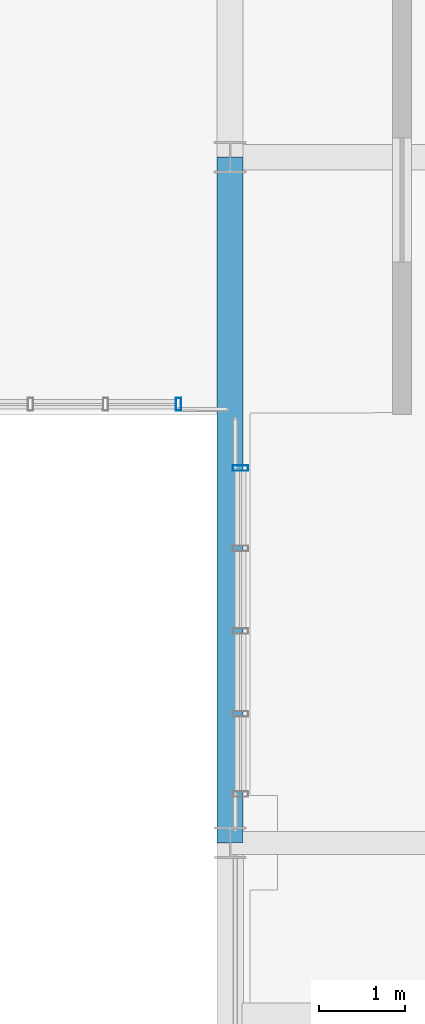
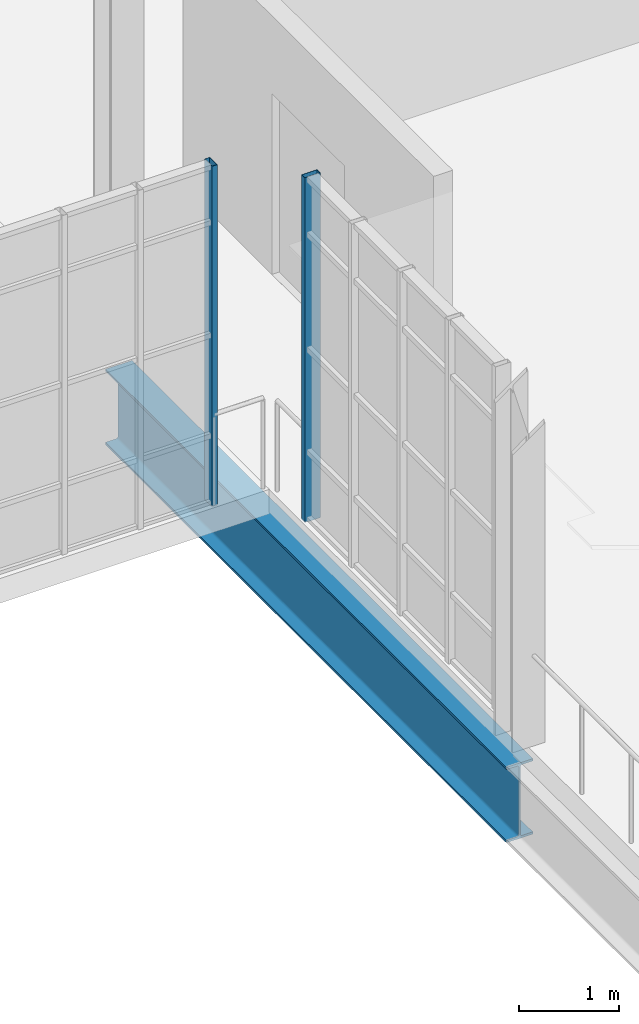
# One storey, part 33 of 142: 2 members, 1 beam, 2 elements without a shape of their own.
"""IFC4 building model written with IfcOpenShell, lengths in metres."""

from ifc_helpers import new_model, si_unit, direction, frame, origin, origin_2d, place, context, subcontext, project, spatial, hollow_rectangle, i_section, extrude, material, layer, layer_set, material_profile, profile_set, type_object, element, aggregate, save


model = new_model("IFC4")

# Units and contexts
model_context = context("Model", 3, precision=1e-05, world=origin(), true_north=direction((0.0, 1.0)))
body_context = subcontext(model_context, "Body", "Model", "MODEL_VIEW")
ifc_project = project(units=[si_unit("LENGTHUNIT", "METRE"), si_unit("AREAUNIT", "SQUARE_METRE"), si_unit("VOLUMEUNIT", "CUBIC_METRE"), si_unit("PLANEANGLEUNIT", "RADIAN"), si_unit("MASSUNIT", "GRAM", prefix="KILO"), si_unit("THERMODYNAMICTEMPERATUREUNIT", "KELVIN"), si_unit("POWERUNIT", "WATT")], contexts=[model_context])

# Site, building, storey
site_placement = place(None, origin())
site = spatial("IfcSite", under=ifc_project, at=site_placement, CompositionType="ELEMENT")
building_placement = place(site_placement, origin())
building = spatial("IfcBuilding", under=site, at=building_placement, Name="Zelmaris Science Centre", CompositionType="ELEMENT")
storey_placement = place(building_placement, frame((0.0, 0.0, 5.39990234375)))
storey = spatial("IfcBuildingStorey", under=building, at=storey_placement, Name="L01", CompositionType="ELEMENT", Elevation=5.39990234375)

# Curtain wall, member
ifc_material_1 = material(Name="Anodised architectural aluminium 6063-T6", Category="aluminium")
ifc_layer_1 = layer(ifc_material_1, 0.219970703125, Name="Anodised architectural aluminium 6063-T6")
ifc_layer_set_1 = layer_set([ifc_layer_1], Name="Anodised architectural aluminium 6063-T6")
curtain_wall_type_1 = type_object("IfcCurtainWallType", Name="Curtain Wall CW-04", PredefinedType="USERDEFINED", material=ifc_layer_set_1)
curtain_wall_1_placement = place(storey_placement, origin())
curtain_wall_1 = element("IfcCurtainWall", 1, at=curtain_wall_1_placement, inside=storey, type_object=curtain_wall_type_1, Name="L01 Unitised curtain wall 172", ObjectType="GLAZED CURTAIN WALL", PredefinedType="USERDEFINED")
ifc_material_profile_1 = material_profile(ifc_material_1, hollow_rectangle(XDim=0.06005859375, YDim=0.14990234375, WallThickness=0.00341796875, at=origin_2d()), Name="ALU-MUL-60X150")
ifc_profile_set_1 = profile_set([ifc_material_profile_1], Name="Anodised architectural aluminium 6063-T6")
member_type_1 = type_object("IfcMemberType", Name="ALU-MUL-60X150", PredefinedType="MULLION", material=ifc_profile_set_1)
member_1_placement = place(storey_placement, frame((107.39697265625, 21.11572265625, -0.014892578125), z_axis=(0.0, 0.0, 1.0), x_axis=(-0.999999948434, 0.000321140577, 0.0)))
member_1 = element("IfcMember", 2, at=member_1_placement, type_object=member_type_1, Name="CW-04 mullion 1", PredefinedType="MULLION", context=body_context, shape_type="SweptSolid", body=[
    extrude(hollow_rectangle(XDim=0.06005859375, YDim=0.14990234375, WallThickness=0.00341796875, at=origin_2d()), origin(), (0.0, 0.0, 1.0), 4.14794921875),
])
aggregate(curtain_wall_1, [member_1])

ifc_layer_2 = layer(ifc_material_1, 0.2099609375, Name="Anodised architectural aluminium 6063-T6")
ifc_layer_set_2 = layer_set([ifc_layer_2], Name="Anodised architectural aluminium 6063-T6")
curtain_wall_type_2 = type_object("IfcCurtainWallType", Name="Curtain Wall CW-03", PredefinedType="USERDEFINED", material=ifc_layer_set_2)
curtain_wall_2_placement = place(storey_placement, origin())
curtain_wall_2 = element("IfcCurtainWall", 3, at=curtain_wall_2_placement, inside=storey, type_object=curtain_wall_type_2, Name="L01 Unitised curtain wall 171", ObjectType="GLAZED CURTAIN WALL", PredefinedType="USERDEFINED")
ifc_material_profile_2 = material_profile(ifc_material_1, hollow_rectangle(XDim=0.06494140625, YDim=0.179931640625, WallThickness=0.00390625, at=origin_2d()), Name="ALU-MUL-65X180")
ifc_profile_set_2 = profile_set([ifc_material_profile_2], Name="Anodised architectural aluminium 6063-T6")
member_type_2 = type_object("IfcMemberType", Name="ALU-MUL-65X180", PredefinedType="MULLION", material=ifc_profile_set_2)
member_2_placement = place(storey_placement, frame((108.1201171875, 20.37158203125, -0.014892578125), z_axis=(0.0, 0.0, 1.0), x_axis=(-5.235988e-06, 0.999999999986, 0.0)))
member_2 = element("IfcMember", 4, at=member_2_placement, type_object=member_type_2, Name="CW-03 mullion 5", PredefinedType="MULLION", context=body_context, shape_type="SweptSolid", body=[
    extrude(hollow_rectangle(XDim=0.06494140625, YDim=0.179931640625, WallThickness=0.00390625, at=origin_2d()), origin(), (0.0, 0.0, 1.0), 4.200927734375),
])
aggregate(curtain_wall_2, [member_2])

# Beam
ifc_material_2 = material(Name="Steel ASTM A992 Grade 50", Category="steel")
ifc_material_profile_3 = material_profile(ifc_material_2, i_section(OverallWidth=0.304931640625, OverallDepth=0.9189453125, WebThickness=0.017333984375, FlangeThickness=0.02783203125, FilletRadius=0.02392578125, at=origin_2d()), Name="W36X170")
ifc_profile_set_3 = profile_set([ifc_material_profile_3], Name="Steel ASTM A992 Grade 50")
beam_type = type_object("IfcBeamType", Name="Beam G-26 W36X170", PredefinedType="BEAM", material=ifc_profile_set_3)
beam_placement = place(storey_placement, frame((108.0, 16.0, -0.759521484375), z_axis=(0.0, 1.0, 0.0), x_axis=(-1.0, 0.0, 0.0)))
element("IfcBeam", 5, at=beam_placement, inside=storey, type_object=beam_type, Name="L01 North-south girder 294", PredefinedType="BEAM", context=body_context, shape_type="SweptSolid", body=[
    extrude(i_section(OverallWidth=0.304931640625, OverallDepth=0.9189453125, WebThickness=0.017333984375, FlangeThickness=0.02783203125, FilletRadius=0.02392578125, at=origin_2d()), origin(), (0.0, 0.0, 1.0), 8.0),
])

save(model, "model.ifc")
